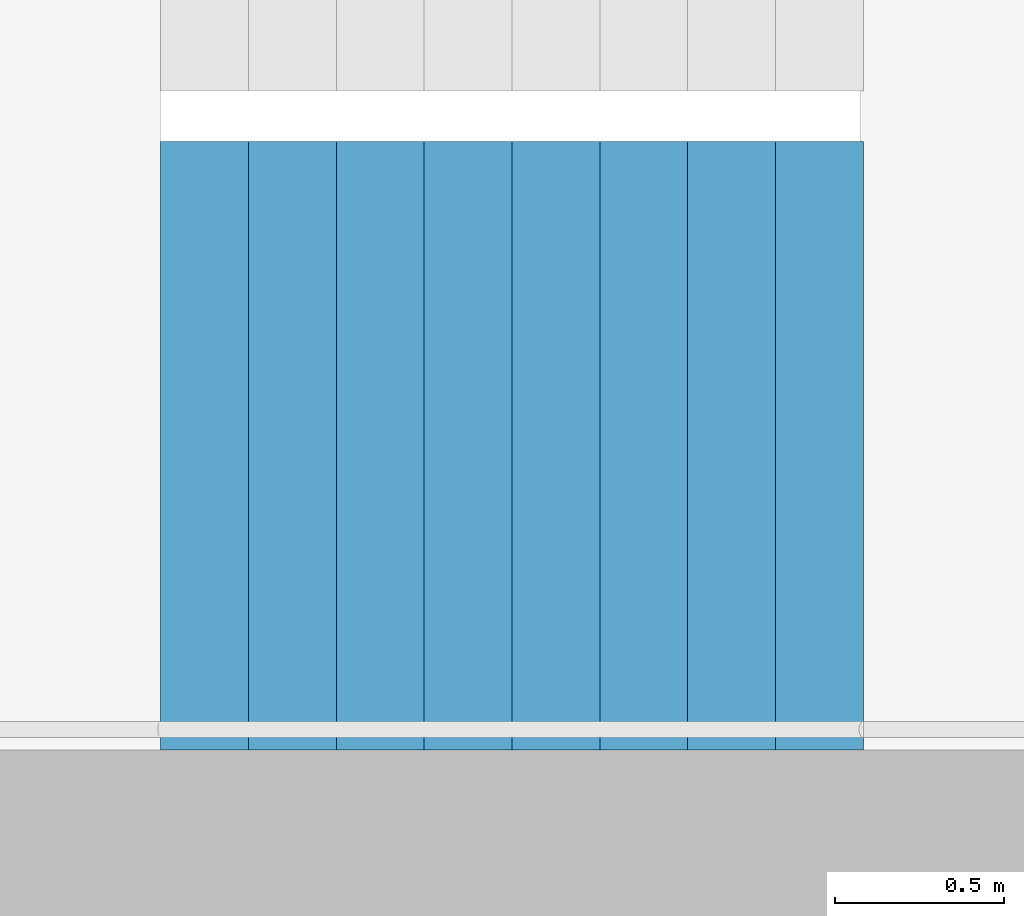
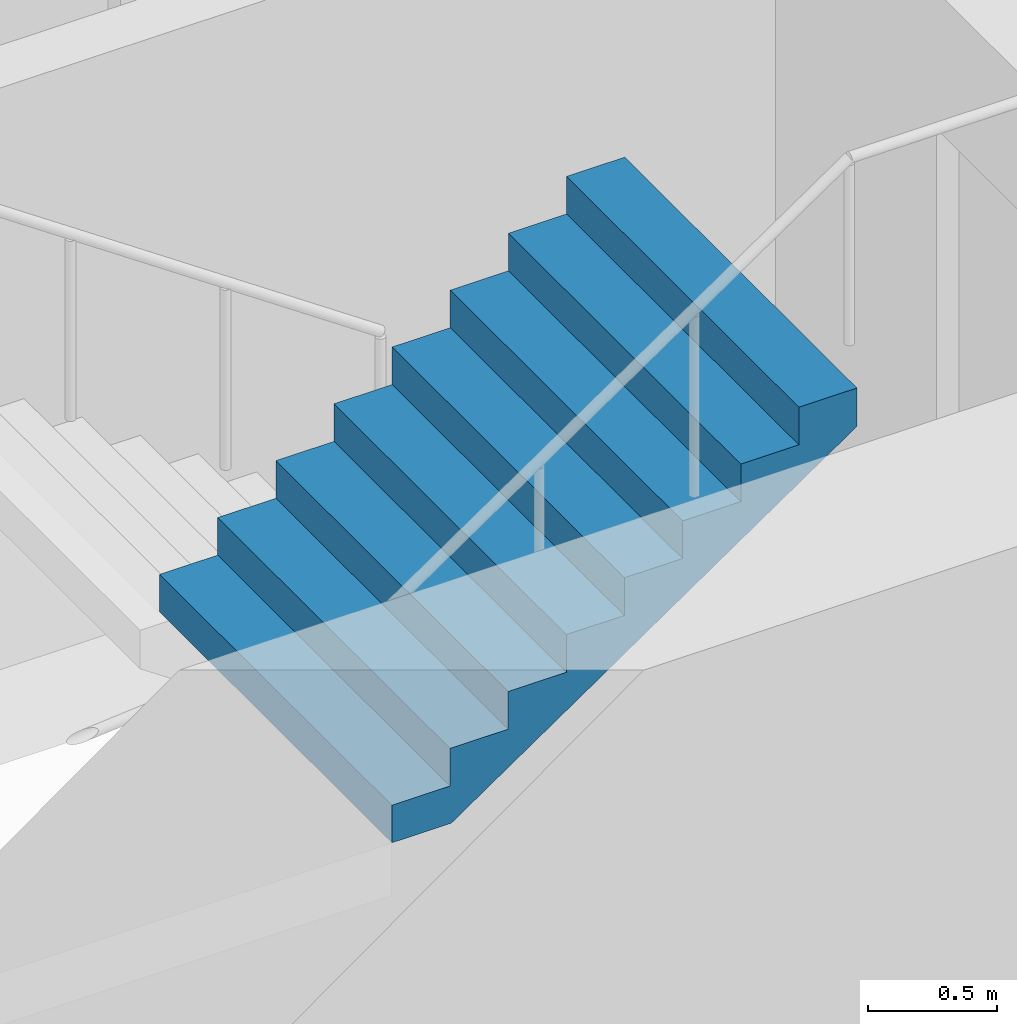
# One storey, part 17 of 29: 1 stair flight, 1 element without a shape of its own.
"""IFC4 building model written with IfcOpenShell, lengths in metres."""

from ifc_helpers import new_model, si_unit, direction, frame, origin, place, context, subcontext, project, spatial, triangles, material, type_object, element, aggregate, save


model = new_model("IFC4")

# Units and contexts
model_context = context("Model", 3, precision=1e-05, world=origin(), true_north=direction((0.0, 1.0)))
body_context = subcontext(model_context, "Body", "Model", "MODEL_VIEW")
ifc_project = project(units=[si_unit("LENGTHUNIT", "METRE"), si_unit("AREAUNIT", "SQUARE_METRE"), si_unit("VOLUMEUNIT", "CUBIC_METRE"), si_unit("PLANEANGLEUNIT", "RADIAN"), si_unit("MASSUNIT", "GRAM", prefix="KILO")], contexts=[model_context])

# Site, building, storey
site_placement = place(None, origin())
site = spatial("IfcSite", under=ifc_project, at=site_placement, CompositionType="ELEMENT")
building_placement = place(site_placement, origin())
building = spatial("IfcBuilding", under=site, at=building_placement, Name="Hakoniwa Tower and Hamabe Station Hall", CompositionType="ELEMENT")
storey_placement = place(building_placement, frame((0.0, 0.0, 258.199951171875)))
storey = spatial("IfcBuildingStorey", under=building, at=storey_placement, Name="L73", CompositionType="ELEMENT", Elevation=258.199951171875)

# Stair, stair flight
ifc_material_1 = material(Name="Concrete C40", Category="concrete")
stair_type = type_object("IfcStairType", Name="ESCAPE STAIR 1800", PredefinedType="HALF_TURN_STAIR", material=ifc_material_1)
stair_placement = place(storey_placement, origin())
stair = element("IfcStair", 1, at=stair_placement, inside=storey, type_object=stair_type, Name="Escape stair ST-2 L73", PredefinedType="HALF_TURN_STAIR")
ifc_material_2 = material(Name="Concrete C40", Category="concrete")
stair_flight_type = type_object("IfcStairFlightType", Name="STAIR FLIGHT 1800", PredefinedType="STRAIGHT", material=ifc_material_2)
stair_flight_placement = place(storey_placement, frame((-25.47998046875, -6.60009765625, 1.60009765625), z_axis=(0.0, 0.0, 1.0), x_axis=(1.0, 0.0, 0.0)))
stair_flight = element("IfcStairFlight", 2, at=stair_flight_placement, type_object=stair_flight_type, Name="ST-2 flight 2", NumberOfRisers=9, NumberOfTreads=8, PredefinedType="STRAIGHT", RiserHeight=0.177777778, TreadLength=0.26, context=body_context, shape_type="Tessellation", body=[
    triangles([(0.0, 0.89990234375, 0.0), (0.260009765625, 0.89990234375, 0.0), (0.265625, 0.89990234375, 0.0), (0.52001953125, 0.89990234375, 0.174072265625), (0.780029296875, 0.89990234375, 0.351806640625), (1.0400390625, 0.89990234375, 0.529541015625), (1.300048828125, 0.89990234375, 0.707275390625), (1.56005859375, 0.89990234375, 0.885009765625), (1.820068359375, 0.89990234375, 1.062744140625), (2.080078125, 0.89990234375, 1.24072265625), (2.080078125, 0.89990234375, 1.422119140625), (1.820068359375, 0.89990234375, 1.422119140625), (1.820068359375, 0.89990234375, 1.244384765625), (1.56005859375, 0.89990234375, 1.244384765625), (1.56005859375, 0.89990234375, 1.066650390625), (1.300048828125, 0.89990234375, 1.066650390625), (1.300048828125, 0.89990234375, 0.888916015625), (1.0400390625, 0.89990234375, 0.888916015625), (1.0400390625, 0.89990234375, 0.711181640625), (0.780029296875, 0.89990234375, 0.711181640625), (0.780029296875, 0.89990234375, 0.533447265625), (0.52001953125, 0.89990234375, 0.533447265625), (0.52001953125, 0.89990234375, 0.35546875), (0.265625, 0.89990234375, 0.35546875), (0.260009765625, 0.89990234375, 0.35546875), (0.260009765625, 0.89990234375, 0.177734375), (0.0, 0.89990234375, 0.177734375), (0.0, 0.06005859375, 0.0), (0.260009765625, 0.06005859375, 0.0), (0.265625, 0.06005859375, 0.0), (0.52001953125, 0.06005859375, 0.174072265625), (0.780029296875, 0.06005859375, 0.351806640625), (1.0400390625, 0.06005859375, 0.529541015625), (1.300048828125, 0.06005859375, 0.707275390625), (1.56005859375, 0.06005859375, 0.885009765625), (1.820068359375, 0.06005859375, 1.062744140625), (2.080078125, 0.06005859375, 1.24072265625), (2.080078125, 0.06005859375, 1.422119140625), (1.820068359375, 0.06005859375, 1.422119140625), (1.820068359375, 0.06005859375, 1.244384765625), (1.56005859375, 0.06005859375, 1.244384765625), (1.56005859375, 0.06005859375, 1.066650390625), (1.300048828125, 0.06005859375, 1.066650390625), (1.300048828125, 0.06005859375, 0.888916015625), (1.0400390625, 0.06005859375, 0.888916015625), (1.0400390625, 0.06005859375, 0.711181640625), (0.780029296875, 0.06005859375, 0.711181640625), (0.780029296875, 0.06005859375, 0.533447265625), (0.52001953125, 0.06005859375, 0.533447265625), (0.52001953125, 0.06005859375, 0.35546875), (0.265625, 0.06005859375, 0.35546875), (0.260009765625, 0.06005859375, 0.35546875), (0.260009765625, 0.06005859375, 0.177734375), (0.0, 0.06005859375, 0.177734375), (0.0, 0.04296875, 0.0), (0.260009765625, 0.04296875, 0.0), (0.265625, 0.04296875, 0.0), (0.52001953125, 0.04296875, 0.174072265625), (0.780029296875, 0.04296875, 0.351806640625), (1.0400390625, 0.04296875, 0.529541015625), (1.300048828125, 0.04296875, 0.707275390625), (1.56005859375, 0.04296875, 0.885009765625), (1.820068359375, 0.04296875, 1.062744140625), (2.080078125, 0.04296875, 1.24072265625), (2.080078125, 0.04296875, 1.422119140625), (1.820068359375, 0.04296875, 1.422119140625), (1.820068359375, 0.04296875, 1.244384765625), (1.56005859375, 0.04296875, 1.244384765625), (1.56005859375, 0.04296875, 1.066650390625), (1.300048828125, 0.04296875, 1.066650390625), (1.300048828125, 0.04296875, 0.888916015625), (1.0400390625, 0.04296875, 0.888916015625), (1.0400390625, 0.04296875, 0.711181640625), (0.780029296875, 0.04296875, 0.711181640625), (0.780029296875, 0.04296875, 0.533447265625), (0.52001953125, 0.04296875, 0.533447265625), (0.52001953125, 0.04296875, 0.35546875), (0.265625, 0.04296875, 0.35546875), (0.260009765625, 0.04296875, 0.35546875), (0.260009765625, 0.04296875, 0.177734375), (0.0, 0.04296875, 0.177734375), (0.0, 0.025634765625, 0.0), (0.260009765625, 0.025634765625, 0.0), (0.265625, 0.025634765625, 0.0), (0.52001953125, 0.025634765625, 0.174072265625), (0.780029296875, 0.025634765625, 0.351806640625), (1.0400390625, 0.025634765625, 0.529541015625), (1.300048828125, 0.025634765625, 0.707275390625), (1.56005859375, 0.025634765625, 0.885009765625), (1.820068359375, 0.025634765625, 1.062744140625), (2.080078125, 0.025634765625, 1.24072265625), (2.080078125, 0.025634765625, 1.422119140625), (1.820068359375, 0.025634765625, 1.422119140625), (1.820068359375, 0.025634765625, 1.244384765625), (1.56005859375, 0.025634765625, 1.244384765625), (1.56005859375, 0.025634765625, 1.066650390625), (1.300048828125, 0.025634765625, 1.066650390625), (1.300048828125, 0.025634765625, 0.888916015625), (1.0400390625, 0.025634765625, 0.888916015625), (1.0400390625, 0.025634765625, 0.711181640625), (0.780029296875, 0.025634765625, 0.711181640625), (0.780029296875, 0.025634765625, 0.533447265625), (0.52001953125, 0.025634765625, 0.533447265625), (0.52001953125, 0.025634765625, 0.35546875), (0.265625, 0.025634765625, 0.35546875), (0.260009765625, 0.025634765625, 0.35546875), (0.260009765625, 0.025634765625, 0.177734375), (0.0, 0.025634765625, 0.177734375), (0.0, 0.008544921875, 0.0), (0.260009765625, 0.008544921875, 0.0), (0.265625, 0.008544921875, 0.0), (0.52001953125, 0.008544921875, 0.174072265625), (0.780029296875, 0.008544921875, 0.351806640625), (1.0400390625, 0.008544921875, 0.529541015625), (1.300048828125, 0.008544921875, 0.707275390625), (1.56005859375, 0.008544921875, 0.885009765625), (1.820068359375, 0.008544921875, 1.062744140625), (2.080078125, 0.008544921875, 1.24072265625), (2.080078125, 0.008544921875, 1.422119140625), (1.820068359375, 0.008544921875, 1.422119140625), (1.820068359375, 0.008544921875, 1.244384765625), (1.56005859375, 0.008544921875, 1.244384765625), (1.56005859375, 0.008544921875, 1.066650390625), (1.300048828125, 0.008544921875, 1.066650390625), (1.300048828125, 0.008544921875, 0.888916015625), (1.0400390625, 0.008544921875, 0.888916015625), (1.0400390625, 0.008544921875, 0.711181640625), (0.780029296875, 0.008544921875, 0.711181640625), (0.780029296875, 0.008544921875, 0.533447265625), (0.52001953125, 0.008544921875, 0.533447265625), (0.52001953125, 0.008544921875, 0.35546875), (0.265625, 0.008544921875, 0.35546875), (0.260009765625, 0.008544921875, 0.35546875), (0.260009765625, 0.008544921875, 0.177734375), (0.0, 0.008544921875, 0.177734375), (0.0, -0.008544921875, 0.0), (0.260009765625, -0.008544921875, 0.0), (0.265625, -0.008544921875, 0.0), (0.52001953125, -0.008544921875, 0.174072265625), (0.780029296875, -0.008544921875, 0.351806640625), (1.0400390625, -0.008544921875, 0.529541015625), (1.300048828125, -0.008544921875, 0.707275390625), (1.56005859375, -0.008544921875, 0.885009765625), (1.820068359375, -0.008544921875, 1.062744140625), (2.080078125, -0.008544921875, 1.24072265625), (2.080078125, -0.008544921875, 1.422119140625), (1.820068359375, -0.008544921875, 1.422119140625), (1.820068359375, -0.008544921875, 1.244384765625), (1.56005859375, -0.008544921875, 1.244384765625), (1.56005859375, -0.008544921875, 1.066650390625), (1.300048828125, -0.008544921875, 1.066650390625), (1.300048828125, -0.008544921875, 0.888916015625), (1.0400390625, -0.008544921875, 0.888916015625), (1.0400390625, -0.008544921875, 0.711181640625), (0.780029296875, -0.008544921875, 0.711181640625), (0.780029296875, -0.008544921875, 0.533447265625), (0.52001953125, -0.008544921875, 0.533447265625), (0.52001953125, -0.008544921875, 0.35546875), (0.265625, -0.008544921875, 0.35546875), (0.260009765625, -0.008544921875, 0.35546875), (0.260009765625, -0.008544921875, 0.177734375), (0.0, -0.008544921875, 0.177734375), (0.0, -0.025634765625, 0.0), (0.260009765625, -0.025634765625, 0.0), (0.265625, -0.025634765625, 0.0), (0.52001953125, -0.025634765625, 0.174072265625), (0.780029296875, -0.025634765625, 0.351806640625), (1.0400390625, -0.025634765625, 0.529541015625), (1.300048828125, -0.025634765625, 0.707275390625), (1.56005859375, -0.025634765625, 0.885009765625), (1.820068359375, -0.025634765625, 1.062744140625), (2.080078125, -0.025634765625, 1.24072265625), (2.080078125, -0.025634765625, 1.422119140625), (1.820068359375, -0.025634765625, 1.422119140625), (1.820068359375, -0.025634765625, 1.244384765625), (1.56005859375, -0.025634765625, 1.244384765625), (1.56005859375, -0.025634765625, 1.066650390625), (1.300048828125, -0.025634765625, 1.066650390625), (1.300048828125, -0.025634765625, 0.888916015625), (1.0400390625, -0.025634765625, 0.888916015625), (1.0400390625, -0.025634765625, 0.711181640625), (0.780029296875, -0.025634765625, 0.711181640625), (0.780029296875, -0.025634765625, 0.533447265625), (0.52001953125, -0.025634765625, 0.533447265625), (0.52001953125, -0.025634765625, 0.35546875), (0.265625, -0.025634765625, 0.35546875), (0.260009765625, -0.025634765625, 0.35546875), (0.260009765625, -0.025634765625, 0.177734375), (0.0, -0.025634765625, 0.177734375), (0.0, -0.04296875, 0.0), (0.260009765625, -0.04296875, 0.0), (0.265625, -0.04296875, 0.0), (0.52001953125, -0.04296875, 0.174072265625), (0.780029296875, -0.04296875, 0.351806640625), (1.0400390625, -0.04296875, 0.529541015625), (1.300048828125, -0.04296875, 0.707275390625), (1.56005859375, -0.04296875, 0.885009765625), (1.820068359375, -0.04296875, 1.062744140625), (2.080078125, -0.04296875, 1.24072265625), (2.080078125, -0.04296875, 1.422119140625), (1.820068359375, -0.04296875, 1.422119140625), (1.820068359375, -0.04296875, 1.244384765625), (1.56005859375, -0.04296875, 1.244384765625), (1.56005859375, -0.04296875, 1.066650390625), (1.300048828125, -0.04296875, 1.066650390625), (1.300048828125, -0.04296875, 0.888916015625), (1.0400390625, -0.04296875, 0.888916015625), (1.0400390625, -0.04296875, 0.711181640625), (0.780029296875, -0.04296875, 0.711181640625), (0.780029296875, -0.04296875, 0.533447265625), (0.52001953125, -0.04296875, 0.533447265625), (0.52001953125, -0.04296875, 0.35546875), (0.265625, -0.04296875, 0.35546875), (0.260009765625, -0.04296875, 0.35546875), (0.260009765625, -0.04296875, 0.177734375), (0.0, -0.04296875, 0.177734375), (0.0, -0.06005859375, 0.0), (0.260009765625, -0.06005859375, 0.0), (0.265625, -0.06005859375, 0.0), (0.52001953125, -0.06005859375, 0.174072265625), (0.780029296875, -0.06005859375, 0.351806640625), (1.0400390625, -0.06005859375, 0.529541015625), (1.300048828125, -0.06005859375, 0.707275390625), (1.56005859375, -0.06005859375, 0.885009765625), (1.820068359375, -0.06005859375, 1.062744140625), (2.080078125, -0.06005859375, 1.24072265625), (2.080078125, -0.06005859375, 1.422119140625), (1.820068359375, -0.06005859375, 1.422119140625), (1.820068359375, -0.06005859375, 1.244384765625), (1.56005859375, -0.06005859375, 1.244384765625), (1.56005859375, -0.06005859375, 1.066650390625), (1.300048828125, -0.06005859375, 1.066650390625), (1.300048828125, -0.06005859375, 0.888916015625), (1.0400390625, -0.06005859375, 0.888916015625), (1.0400390625, -0.06005859375, 0.711181640625), (0.780029296875, -0.06005859375, 0.711181640625), (0.780029296875, -0.06005859375, 0.533447265625), (0.52001953125, -0.06005859375, 0.533447265625), (0.52001953125, -0.06005859375, 0.35546875), (0.265625, -0.06005859375, 0.35546875), (0.260009765625, -0.06005859375, 0.35546875), (0.260009765625, -0.06005859375, 0.177734375), (0.0, -0.06005859375, 0.177734375), (0.0, -0.89990234375, 0.0), (0.260009765625, -0.89990234375, 0.0), (0.265625, -0.89990234375, 0.0), (0.52001953125, -0.89990234375, 0.174072265625), (0.780029296875, -0.89990234375, 0.351806640625), (1.0400390625, -0.89990234375, 0.529541015625), (1.300048828125, -0.89990234375, 0.707275390625), (1.56005859375, -0.89990234375, 0.885009765625), (1.820068359375, -0.89990234375, 1.062744140625), (2.080078125, -0.89990234375, 1.24072265625), (2.080078125, -0.89990234375, 1.422119140625), (1.820068359375, -0.89990234375, 1.422119140625), (1.820068359375, -0.89990234375, 1.244384765625), (1.56005859375, -0.89990234375, 1.244384765625), (1.56005859375, -0.89990234375, 1.066650390625), (1.300048828125, -0.89990234375, 1.066650390625), (1.300048828125, -0.89990234375, 0.888916015625), (1.0400390625, -0.89990234375, 0.888916015625), (1.0400390625, -0.89990234375, 0.711181640625), (0.780029296875, -0.89990234375, 0.711181640625), (0.780029296875, -0.89990234375, 0.533447265625), (0.52001953125, -0.89990234375, 0.533447265625), (0.52001953125, -0.89990234375, 0.35546875), (0.265625, -0.89990234375, 0.35546875), (0.260009765625, -0.89990234375, 0.35546875), (0.260009765625, -0.89990234375, 0.177734375), (0.0, -0.89990234375, 0.177734375)], [[2, 27, 26], [245, 269, 270], [2, 1, 27], [245, 270, 244], [3, 25, 24], [246, 267, 268], [3, 26, 25], [246, 268, 269], [3, 2, 26], [246, 269, 245], [4, 24, 23], [247, 266, 267], [4, 3, 24], [247, 267, 246], [5, 22, 21], [248, 264, 265], [5, 23, 22], [248, 265, 266], [5, 4, 23], [248, 266, 247], [6, 20, 19], [249, 262, 263], [6, 21, 20], [249, 263, 264], [6, 5, 21], [249, 264, 248], [7, 18, 17], [250, 260, 261], [7, 19, 18], [250, 261, 262], [7, 6, 19], [250, 262, 249], [8, 16, 15], [251, 258, 259], [8, 17, 16], [251, 259, 260], [8, 7, 17], [251, 260, 250], [9, 14, 13], [252, 256, 257], [9, 15, 14], [252, 257, 258], [9, 8, 15], [252, 258, 251], [10, 12, 11], [253, 254, 255], [10, 13, 12], [253, 255, 256], [10, 9, 13], [253, 256, 252], [1, 2, 29], [1, 29, 28], [28, 29, 56], [28, 56, 55], [55, 56, 83], [55, 83, 82], [82, 83, 110], [82, 110, 109], [109, 110, 137], [109, 137, 136], [136, 137, 164], [136, 164, 163], [163, 164, 191], [163, 191, 190], [190, 191, 218], [190, 218, 217], [217, 218, 245], [217, 245, 244], [2, 3, 30], [2, 30, 29], [29, 30, 57], [29, 57, 56], [56, 57, 84], [56, 84, 83], [83, 84, 111], [83, 111, 110], [110, 111, 138], [110, 138, 137], [137, 138, 165], [137, 165, 164], [164, 165, 192], [164, 192, 191], [191, 192, 219], [191, 219, 218], [218, 219, 246], [218, 246, 245], [3, 4, 31], [3, 31, 30], [30, 31, 58], [30, 58, 57], [57, 58, 85], [57, 85, 84], [84, 85, 112], [84, 112, 111], [111, 112, 139], [111, 139, 138], [138, 139, 166], [138, 166, 165], [165, 166, 193], [165, 193, 192], [192, 193, 220], [192, 220, 219], [219, 220, 247], [219, 247, 246], [4, 5, 32], [4, 32, 31], [31, 32, 59], [31, 59, 58], [58, 59, 86], [58, 86, 85], [85, 86, 113], [85, 113, 112], [112, 113, 140], [112, 140, 139], [139, 140, 167], [139, 167, 166], [166, 167, 194], [166, 194, 193], [193, 194, 221], [193, 221, 220], [220, 221, 248], [220, 248, 247], [5, 6, 33], [5, 33, 32], [32, 33, 60], [32, 60, 59], [59, 60, 87], [59, 87, 86], [86, 87, 114], [86, 114, 113], [113, 114, 141], [113, 141, 140], [140, 141, 168], [140, 168, 167], [167, 168, 195], [167, 195, 194], [194, 195, 222], [194, 222, 221], [221, 222, 249], [221, 249, 248], [6, 7, 34], [6, 34, 33], [33, 34, 61], [33, 61, 60], [60, 61, 88], [60, 88, 87], [87, 88, 115], [87, 115, 114], [114, 115, 142], [114, 142, 141], [141, 142, 169], [141, 169, 168], [168, 169, 196], [168, 196, 195], [195, 196, 223], [195, 223, 222], [222, 223, 250], [222, 250, 249], [7, 8, 35], [7, 35, 34], [34, 35, 62], [34, 62, 61], [61, 62, 89], [61, 89, 88], [88, 89, 116], [88, 116, 115], [115, 116, 143], [115, 143, 142], [142, 143, 170], [142, 170, 169], [169, 170, 197], [169, 197, 196], [196, 197, 224], [196, 224, 223], [223, 224, 251], [223, 251, 250], [8, 9, 36], [8, 36, 35], [35, 36, 63], [35, 63, 62], [62, 63, 90], [62, 90, 89], [89, 90, 117], [89, 117, 116], [116, 117, 144], [116, 144, 143], [143, 144, 171], [143, 171, 170], [170, 171, 198], [170, 198, 197], [197, 198, 225], [197, 225, 224], [224, 225, 252], [224, 252, 251], [9, 10, 37], [9, 37, 36], [36, 37, 64], [36, 64, 63], [63, 64, 91], [63, 91, 90], [90, 91, 118], [90, 118, 117], [117, 118, 145], [117, 145, 144], [144, 145, 172], [144, 172, 171], [171, 172, 199], [171, 199, 198], [198, 199, 226], [198, 226, 225], [225, 226, 253], [225, 253, 252], [10, 11, 38], [10, 38, 37], [37, 38, 65], [37, 65, 64], [64, 65, 92], [64, 92, 91], [91, 92, 119], [91, 119, 118], [118, 119, 146], [118, 146, 145], [145, 146, 173], [145, 173, 172], [172, 173, 200], [172, 200, 199], [199, 200, 227], [199, 227, 226], [226, 227, 254], [226, 254, 253], [11, 12, 39], [11, 39, 38], [38, 39, 66], [38, 66, 65], [65, 66, 93], [65, 93, 92], [92, 93, 120], [92, 120, 119], [119, 120, 147], [119, 147, 146], [146, 147, 174], [146, 174, 173], [173, 174, 201], [173, 201, 200], [200, 201, 228], [200, 228, 227], [227, 228, 255], [227, 255, 254], [12, 13, 40], [12, 40, 39], [39, 40, 67], [39, 67, 66], [66, 67, 94], [66, 94, 93], [93, 94, 121], [93, 121, 120], [120, 121, 148], [120, 148, 147], [147, 148, 175], [147, 175, 174], [174, 175, 202], [174, 202, 201], [201, 202, 229], [201, 229, 228], [228, 229, 256], [228, 256, 255], [13, 14, 41], [13, 41, 40], [40, 41, 68], [40, 68, 67], [67, 68, 95], [67, 95, 94], [94, 95, 122], [94, 122, 121], [121, 122, 149], [121, 149, 148], [148, 149, 176], [148, 176, 175], [175, 176, 203], [175, 203, 202], [202, 203, 230], [202, 230, 229], [229, 230, 257], [229, 257, 256], [14, 15, 42], [14, 42, 41], [41, 42, 69], [41, 69, 68], [68, 69, 96], [68, 96, 95], [95, 96, 123], [95, 123, 122], [122, 123, 150], [122, 150, 149], [149, 150, 177], [149, 177, 176], [176, 177, 204], [176, 204, 203], [203, 204, 231], [203, 231, 230], [230, 231, 258], [230, 258, 257], [15, 16, 43], [15, 43, 42], [42, 43, 70], [42, 70, 69], [69, 70, 97], [69, 97, 96], [96, 97, 124], [96, 124, 123], [123, 124, 151], [123, 151, 150], [150, 151, 178], [150, 178, 177], [177, 178, 205], [177, 205, 204], [204, 205, 232], [204, 232, 231], [231, 232, 259], [231, 259, 258], [16, 17, 44], [16, 44, 43], [43, 44, 71], [43, 71, 70], [70, 71, 98], [70, 98, 97], [97, 98, 125], [97, 125, 124], [124, 125, 152], [124, 152, 151], [151, 152, 179], [151, 179, 178], [178, 179, 206], [178, 206, 205], [205, 206, 233], [205, 233, 232], [232, 233, 260], [232, 260, 259], [17, 18, 45], [17, 45, 44], [44, 45, 72], [44, 72, 71], [71, 72, 99], [71, 99, 98], [98, 99, 126], [98, 126, 125], [125, 126, 153], [125, 153, 152], [152, 153, 180], [152, 180, 179], [179, 180, 207], [179, 207, 206], [206, 207, 234], [206, 234, 233], [233, 234, 261], [233, 261, 260], [18, 19, 46], [18, 46, 45], [45, 46, 73], [45, 73, 72], [72, 73, 100], [72, 100, 99], [99, 100, 127], [99, 127, 126], [126, 127, 154], [126, 154, 153], [153, 154, 181], [153, 181, 180], [180, 181, 208], [180, 208, 207], [207, 208, 235], [207, 235, 234], [234, 235, 262], [234, 262, 261], [19, 20, 47], [19, 47, 46], [46, 47, 74], [46, 74, 73], [73, 74, 101], [73, 101, 100], [100, 101, 128], [100, 128, 127], [127, 128, 155], [127, 155, 154], [154, 155, 182], [154, 182, 181], [181, 182, 209], [181, 209, 208], [208, 209, 236], [208, 236, 235], [235, 236, 263], [235, 263, 262], [20, 21, 48], [20, 48, 47], [47, 48, 75], [47, 75, 74], [74, 75, 102], [74, 102, 101], [101, 102, 129], [101, 129, 128], [128, 129, 156], [128, 156, 155], [155, 156, 183], [155, 183, 182], [182, 183, 210], [182, 210, 209], [209, 210, 237], [209, 237, 236], [236, 237, 264], [236, 264, 263], [21, 22, 49], [21, 49, 48], [48, 49, 76], [48, 76, 75], [75, 76, 103], [75, 103, 102], [102, 103, 130], [102, 130, 129], [129, 130, 157], [129, 157, 156], [156, 157, 184], [156, 184, 183], [183, 184, 211], [183, 211, 210], [210, 211, 238], [210, 238, 237], [237, 238, 265], [237, 265, 264], [22, 23, 50], [22, 50, 49], [49, 50, 77], [49, 77, 76], [76, 77, 104], [76, 104, 103], [103, 104, 131], [103, 131, 130], [130, 131, 158], [130, 158, 157], [157, 158, 185], [157, 185, 184], [184, 185, 212], [184, 212, 211], [211, 212, 239], [211, 239, 238], [238, 239, 266], [238, 266, 265], [23, 24, 51], [23, 51, 50], [50, 51, 78], [50, 78, 77], [77, 78, 105], [77, 105, 104], [104, 105, 132], [104, 132, 131], [131, 132, 159], [131, 159, 158], [158, 159, 186], [158, 186, 185], [185, 186, 213], [185, 213, 212], [212, 213, 240], [212, 240, 239], [239, 240, 267], [239, 267, 266], [24, 25, 52], [24, 52, 51], [51, 52, 79], [51, 79, 78], [78, 79, 106], [78, 106, 105], [105, 106, 133], [105, 133, 132], [132, 133, 160], [132, 160, 159], [159, 160, 187], [159, 187, 186], [186, 187, 214], [186, 214, 213], [213, 214, 241], [213, 241, 240], [240, 241, 268], [240, 268, 267], [25, 26, 53], [25, 53, 52], [52, 53, 80], [52, 80, 79], [79, 80, 107], [79, 107, 106], [106, 107, 134], [106, 134, 133], [133, 134, 161], [133, 161, 160], [160, 161, 188], [160, 188, 187], [187, 188, 215], [187, 215, 214], [214, 215, 242], [214, 242, 241], [241, 242, 269], [241, 269, 268], [26, 27, 54], [26, 54, 53], [53, 54, 81], [53, 81, 80], [80, 81, 108], [80, 108, 107], [107, 108, 135], [107, 135, 134], [134, 135, 162], [134, 162, 161], [161, 162, 189], [161, 189, 188], [188, 189, 216], [188, 216, 215], [215, 216, 243], [215, 243, 242], [242, 243, 270], [242, 270, 269], [27, 1, 28], [27, 28, 54], [54, 28, 55], [54, 55, 81], [81, 55, 82], [81, 82, 108], [108, 82, 109], [108, 109, 135], [135, 109, 136], [135, 136, 162], [162, 136, 163], [162, 163, 189], [189, 163, 190], [189, 190, 216], [216, 190, 217], [216, 217, 243], [243, 217, 244], [243, 244, 270]], closed=True),
])
aggregate(stair, [stair_flight])

save(model, "model.ifc")
